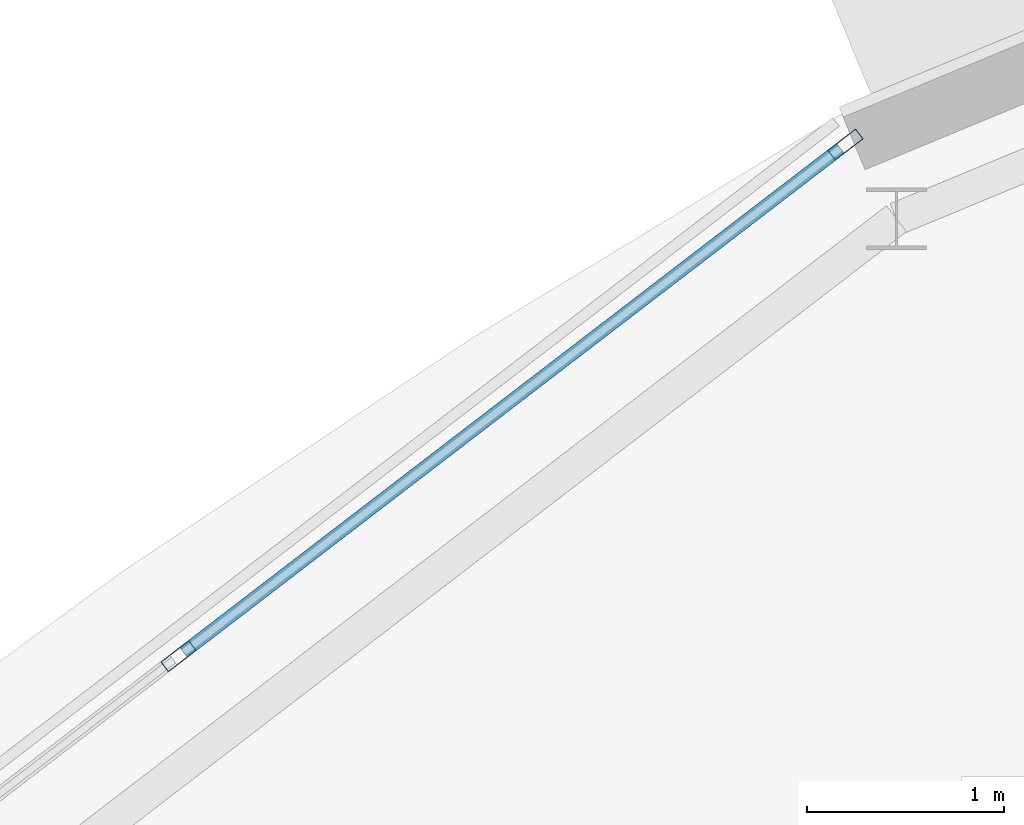
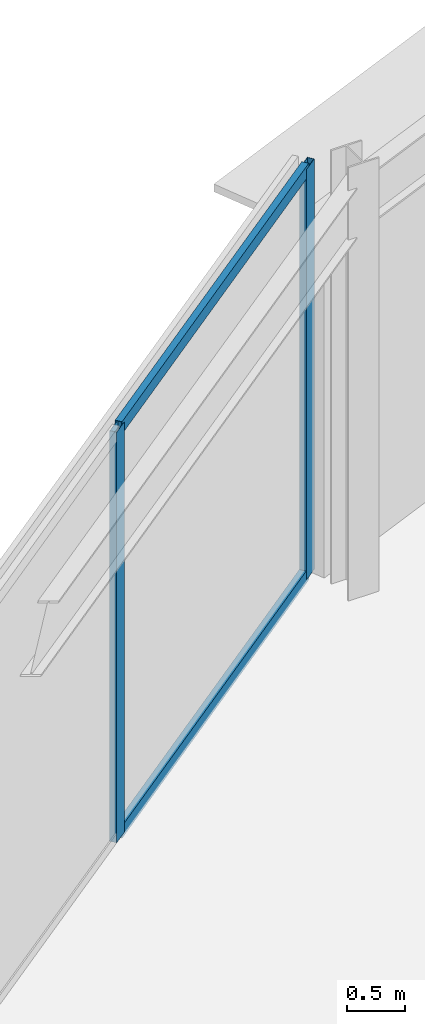
# One storey, part 32 of 89: 4 members, 1 element without a shape of its own.
"""IFC4 building model written with IfcOpenShell, lengths in metres."""

from ifc_helpers import new_model, si_unit, direction, frame, origin, origin_2d, place, context, subcontext, project, spatial, hollow_rectangle, extrude, material, material_profile, profile_set, type_object, element, aggregate, save


model = new_model("IFC4")

# Units and contexts
model_context = context("Model", 3, precision=1e-05, world=origin(), true_north=direction((0.0, 1.0)))
body_context = subcontext(model_context, "Body", "Model", "MODEL_VIEW")
ifc_project = project(units=[si_unit("LENGTHUNIT", "METRE"), si_unit("AREAUNIT", "SQUARE_METRE"), si_unit("VOLUMEUNIT", "CUBIC_METRE"), si_unit("PLANEANGLEUNIT", "RADIAN"), si_unit("MASSUNIT", "GRAM", prefix="KILO")], contexts=[model_context])

# Site, building, storey
site_placement = place(None, origin())
site = spatial("IfcSite", under=ifc_project, at=site_placement, CompositionType="ELEMENT")
building_placement = place(site_placement, origin())
building = spatial("IfcBuilding", under=site, at=building_placement, Name="Almandine Court Research Institute", CompositionType="ELEMENT")
storey_placement = place(building_placement, frame((0.0, 0.0, 18.89990234375)))
storey = spatial("IfcBuildingStorey", under=building, at=storey_placement, Name="L04", CompositionType="ELEMENT", Elevation=18.89990234375)

# Curtain wall, members
ifc_material_1 = material(Name="Unitised Curtain Wall Framing and Solar Glazing", Category="glass")
curtain_wall_type = type_object("IfcCurtainWallType", Name="CW-CWJ-21", PredefinedType="USERDEFINED", material=ifc_material_1)
curtain_wall_placement = place(storey_placement, origin())
curtain_wall = element("IfcCurtainWall", 1, at=curtain_wall_placement, inside=storey, type_object=curtain_wall_type, Name="L04 Stacked-Ring Drum Outer Solar Jali Screen 08", ObjectType="SOLAR JALI SCREEN", PredefinedType="USERDEFINED")
ifc_material_2 = material(Name="Anodised Aluminium AW-6063-T6", Category="aluminium")
ifc_material_profile_1 = material_profile(ifc_material_2, hollow_rectangle(XDim=0.06494140625, YDim=0.179931640625, WallThickness=0.00390625, at=origin_2d()), Name="ALU RHS 65x180x4")
ifc_profile_set_1 = profile_set([ifc_material_profile_1], Name="Anodised Aluminium AW-6063-T6")
member_type_1 = type_object("IfcMemberType", Name="CWMul-65x180", PredefinedType="MULLION", material=ifc_profile_set_1)
member_1_placement = place(storey_placement, frame((58.911376953125, 96.132080078125, 0.0), z_axis=(0.0, 0.0, 1.0), x_axis=(-0.608723313303, 0.793382586046, 0.0)))
member_1 = element("IfcMember", 2, at=member_1_placement, type_object=member_type_1, Name="CWJ-21 mullion 3", PredefinedType="MULLION", context=body_context, shape_type="SweptSolid", body=[
    extrude(hollow_rectangle(XDim=0.06494140625, YDim=0.179931640625, WallThickness=0.00390625, at=origin_2d()), origin(), (0.0, 0.0, 1.0), 4.31005859375),
])
member_2_placement = place(storey_placement, frame((62.291259765625, 98.72509765625, 0.0), z_axis=(0.0, 0.0, 1.0), x_axis=(-0.608723313303, 0.793382586046, 0.0)))
member_2 = element("IfcMember", 3, at=member_2_placement, type_object=member_type_1, Name="CWJ-21 mullion 4", PredefinedType="MULLION", context=body_context, shape_type="SweptSolid", body=[
    extrude(hollow_rectangle(XDim=0.06494140625, YDim=0.179931640625, WallThickness=0.00390625, at=origin_2d()), origin(), (0.0, 0.0, 1.0), 4.31005859375),
])
ifc_material_profile_2 = material_profile(ifc_material_2, hollow_rectangle(XDim=0.06494140625, YDim=0.1298828125, WallThickness=0.00390625, at=origin_2d()), Name="ALU RHS 65x130x4")
ifc_profile_set_2 = profile_set([ifc_material_profile_2], Name="Anodised Aluminium AW-6063-T6")
member_type_2 = type_object("IfcMemberType", Name="CWTrn-65x130", PredefinedType="NOTDEFINED", material=ifc_profile_set_2)
member_3_placement = place(storey_placement, frame((58.93701171875, 96.15185546875, 0.03271484375), z_axis=(0.793408675449, 0.608689308041, 0.0), x_axis=(-0.608689308041, 0.793408675449, 0.0)))
member_3 = element("IfcMember", 4, at=member_3_placement, type_object=member_type_2, Name="CWJ-21 transom 3.1", ObjectType="TRANSOM", PredefinedType="USERDEFINED", context=body_context, shape_type="SweptSolid", body=[
    extrude(hollow_rectangle(XDim=0.06494140625, YDim=0.1298828125, WallThickness=0.00390625, at=origin_2d()), origin(), (0.0, 0.0, 1.0), 4.195068359375),
])
member_4_placement = place(storey_placement, frame((58.93701171875, 96.15185546875, 4.277587890625), z_axis=(0.793408675449, 0.608689308041, 0.0), x_axis=(-0.608689308041, 0.793408675449, 0.0)))
member_4 = element("IfcMember", 5, at=member_4_placement, type_object=member_type_2, Name="CWJ-21 transom 3.2", ObjectType="TRANSOM", PredefinedType="USERDEFINED", context=body_context, shape_type="SweptSolid", body=[
    extrude(hollow_rectangle(XDim=0.06494140625, YDim=0.1298828125, WallThickness=0.00390625, at=origin_2d()), origin(), (0.0, 0.0, 1.0), 4.195068359375),
])
aggregate(curtain_wall, [member_1, member_2, member_3, member_4])

save(model, "model.ifc")
